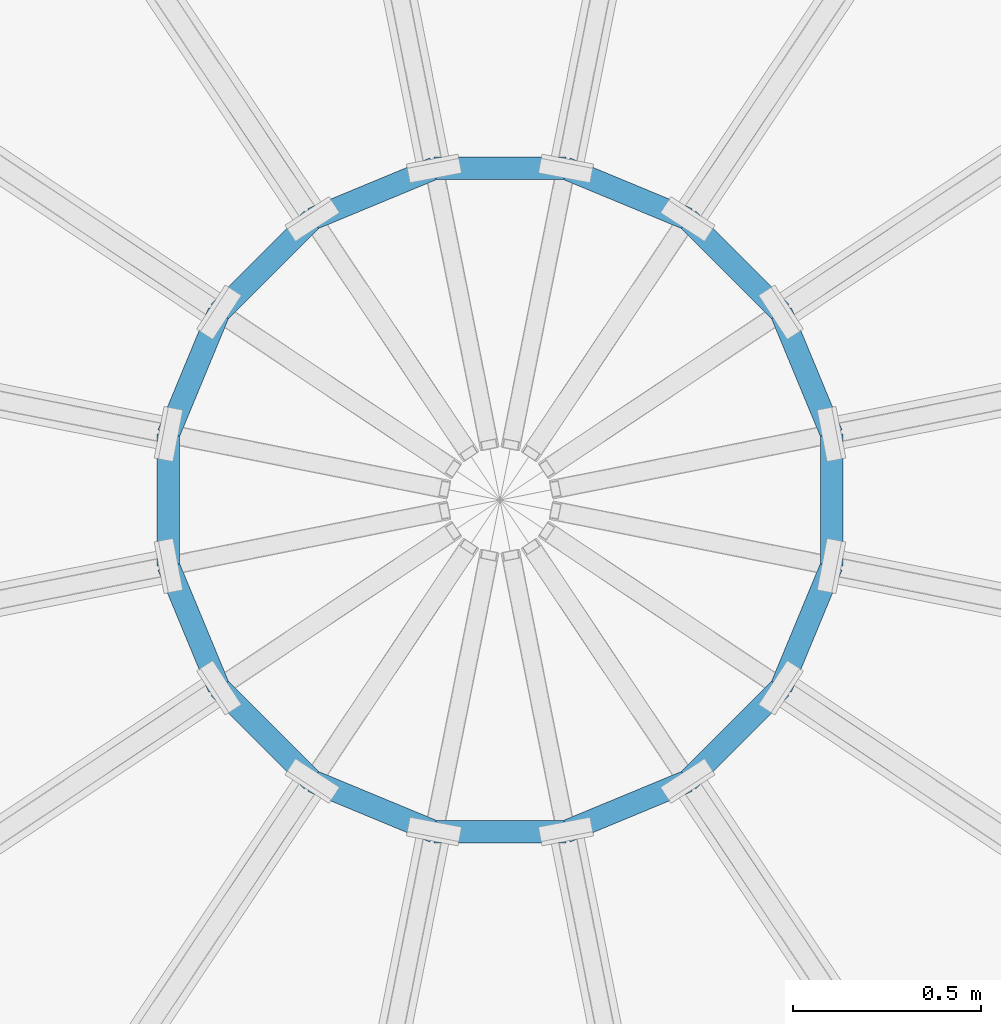
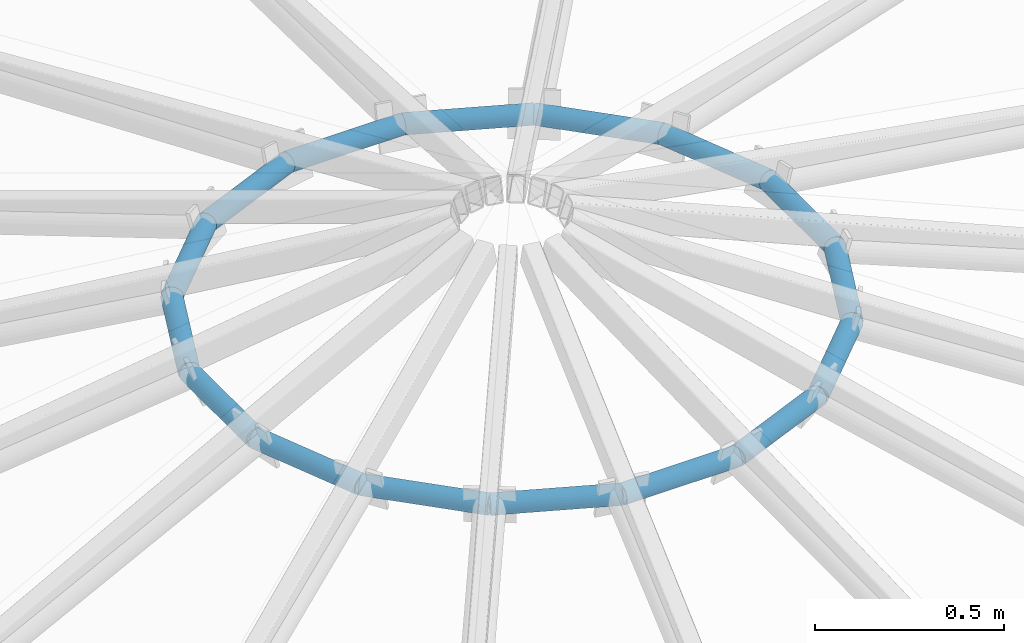
# One storey, part 14 of 26: 16 members.
"""IFC4 building model written with IfcOpenShell, lengths in metres."""

from ifc_helpers import new_model, si_unit, direction, frame, origin, origin_2d, place, context, subcontext, project, spatial, hollow_circle, extrude, material, material_profile, profile_set, type_object, element, save


model = new_model("IFC4")

# Units and contexts
model_context = context("Model", 3, precision=1e-05, world=origin(), true_north=direction((0.0, 1.0)))
body_context = subcontext(model_context, "Body", "Model", "MODEL_VIEW")
ifc_project = project(units=[si_unit("LENGTHUNIT", "METRE"), si_unit("AREAUNIT", "SQUARE_METRE"), si_unit("VOLUMEUNIT", "CUBIC_METRE"), si_unit("PLANEANGLEUNIT", "RADIAN"), si_unit("MASSUNIT", "GRAM", prefix="KILO")], contexts=[model_context])

# Site, building, storey
site_placement = place(None, origin())
site = spatial("IfcSite", under=ifc_project, at=site_placement, CompositionType="ELEMENT")
building_placement = place(site_placement, origin())
building = spatial("IfcBuilding", under=site, at=building_placement, Name="Sun Court Science Centre", CompositionType="ELEMENT")
storey_placement = place(building_placement, frame((0.0, 0.0, 29.25)))
storey = spatial("IfcBuildingStorey", under=building, at=storey_placement, Name="L06", CompositionType="ELEMENT", Elevation=29.25)

# Members
ifc_material = material(Name="Steel S355", Category="steel")
ifc_material_profile = material_profile(ifc_material, hollow_circle(Radius=0.030029296875, WallThickness=0.0048828125, at=origin_2d()), Name="CHS 60.3x5")
ifc_profile_set = profile_set([ifc_material_profile], Name="Steel S355")
member_type = type_object("IfcMemberType", Name="Lantern vent ring CHS 60.3x5", PredefinedType="CHORD", material=ifc_profile_set)
member_1_placement = place(storey_placement, frame((6.8828125, 11.675537109375, 1.468505859375), z_axis=(-0.382986090474, 0.923754109329, 0.0), x_axis=(-0.923754109329, -0.382986090474, 0.0)))
element("IfcMember", 1, at=member_1_placement, inside=storey, type_object=member_type, Name="Cone 1 lantern vent ring 1", PredefinedType="CHORD", context=body_context, shape_type="SweptSolid", body=[
    extrude(hollow_circle(Radius=0.030029296875, WallThickness=0.0048828125, at=origin_2d()), origin(), (0.0, 0.0, 1.0), 0.351318359375),
])
member_2_placement = place(storey_placement, frame((6.748291015625, 12.0, 1.468505859375), z_axis=(-0.707106781187, 0.707106781187, 0.0), x_axis=(-0.707106781187, -0.707106781187, 0.0)))
element("IfcMember", 2, at=member_2_placement, inside=storey, type_object=member_type, Name="Cone 1 lantern vent ring 2", PredefinedType="CHORD", context=body_context, shape_type="SweptSolid", body=[
    extrude(hollow_circle(Radius=0.030029296875, WallThickness=0.0048828125, at=origin_2d()), origin(), (0.0, 0.0, 1.0), 0.35107421875),
])
member_3_placement = place(storey_placement, frame((6.5, 12.248291015625, 1.468505859375), z_axis=(-0.923754109329, 0.382986090474, 0.0), x_axis=(-0.382986090474, -0.923754109329, 0.0)))
element("IfcMember", 3, at=member_3_placement, inside=storey, type_object=member_type, Name="Cone 1 lantern vent ring 3", PredefinedType="CHORD", context=body_context, shape_type="SweptSolid", body=[
    extrude(hollow_circle(Radius=0.030029296875, WallThickness=0.0048828125, at=origin_2d()), origin(), (0.0, 0.0, 1.0), 0.351318359375),
])
member_4_placement = place(storey_placement, frame((6.175537109375, 12.3828125, 1.468505859375), z_axis=(-1.0, 0.0, 0.0), x_axis=(0.0, -1.0, 0.0)))
element("IfcMember", 4, at=member_4_placement, inside=storey, type_object=member_type, Name="Cone 1 lantern vent ring 4", PredefinedType="CHORD", context=body_context, shape_type="SweptSolid", body=[
    extrude(hollow_circle(Radius=0.030029296875, WallThickness=0.0048828125, at=origin_2d()), origin(), (0.0, 0.0, 1.0), 0.35107421875),
])
member_5_placement = place(storey_placement, frame((5.824462890625, 12.3828125, 1.468505859375), z_axis=(-0.923754109329, -0.382986090474, 0.0), x_axis=(0.382986090474, -0.923754109329, 0.0)))
element("IfcMember", 5, at=member_5_placement, inside=storey, type_object=member_type, Name="Cone 1 lantern vent ring 5", PredefinedType="CHORD", context=body_context, shape_type="SweptSolid", body=[
    extrude(hollow_circle(Radius=0.030029296875, WallThickness=0.0048828125, at=origin_2d()), origin(), (0.0, 0.0, 1.0), 0.351318359375),
])
member_6_placement = place(storey_placement, frame((5.5, 12.248291015625, 1.468505859375), z_axis=(-0.707106781187, -0.707106781187, 0.0), x_axis=(0.707106781187, -0.707106781187, 0.0)))
element("IfcMember", 6, at=member_6_placement, inside=storey, type_object=member_type, Name="Cone 1 lantern vent ring 6", PredefinedType="CHORD", context=body_context, shape_type="SweptSolid", body=[
    extrude(hollow_circle(Radius=0.030029296875, WallThickness=0.0048828125, at=origin_2d()), origin(), (0.0, 0.0, 1.0), 0.35107421875),
])
member_7_placement = place(storey_placement, frame((5.251708984375, 12.0, 1.468505859375), z_axis=(-0.382986090474, -0.923754109329, 0.0), x_axis=(0.923754109329, -0.382986090474, 0.0)))
element("IfcMember", 7, at=member_7_placement, inside=storey, type_object=member_type, Name="Cone 1 lantern vent ring 7", PredefinedType="CHORD", context=body_context, shape_type="SweptSolid", body=[
    extrude(hollow_circle(Radius=0.030029296875, WallThickness=0.0048828125, at=origin_2d()), origin(), (0.0, 0.0, 1.0), 0.351318359375),
])
member_8_placement = place(storey_placement, frame((5.1171875, 11.675537109375, 1.468505859375), z_axis=(0.0, -1.0, 0.0), x_axis=(1.0, 0.0, 0.0)))
element("IfcMember", 8, at=member_8_placement, inside=storey, type_object=member_type, Name="Cone 1 lantern vent ring 8", PredefinedType="CHORD", context=body_context, shape_type="SweptSolid", body=[
    extrude(hollow_circle(Radius=0.030029296875, WallThickness=0.0048828125, at=origin_2d()), origin(), (0.0, 0.0, 1.0), 0.35107421875),
])
member_9_placement = place(storey_placement, frame((5.1171875, 11.324462890625, 1.468505859375), z_axis=(0.382986090474, -0.923754109329, 0.0), x_axis=(0.923754109329, 0.382986090474, 0.0)))
element("IfcMember", 9, at=member_9_placement, inside=storey, type_object=member_type, Name="Cone 1 lantern vent ring 9", PredefinedType="CHORD", context=body_context, shape_type="SweptSolid", body=[
    extrude(hollow_circle(Radius=0.030029296875, WallThickness=0.0048828125, at=origin_2d()), origin(), (0.0, 0.0, 1.0), 0.351318359375),
])
member_10_placement = place(storey_placement, frame((5.251708984375, 11.0, 1.468505859375), z_axis=(0.707106781187, -0.707106781187, 0.0), x_axis=(0.707106781187, 0.707106781187, 0.0)))
element("IfcMember", 10, at=member_10_placement, inside=storey, type_object=member_type, Name="Cone 1 lantern vent ring 10", PredefinedType="CHORD", context=body_context, shape_type="SweptSolid", body=[
    extrude(hollow_circle(Radius=0.030029296875, WallThickness=0.0048828125, at=origin_2d()), origin(), (0.0, 0.0, 1.0), 0.35107421875),
])
member_11_placement = place(storey_placement, frame((5.5, 10.751708984375, 1.468505859375), z_axis=(0.923754109329, -0.382986090474, 0.0), x_axis=(0.382986090474, 0.923754109329, 0.0)))
element("IfcMember", 11, at=member_11_placement, inside=storey, type_object=member_type, Name="Cone 1 lantern vent ring 11", PredefinedType="CHORD", context=body_context, shape_type="SweptSolid", body=[
    extrude(hollow_circle(Radius=0.030029296875, WallThickness=0.0048828125, at=origin_2d()), origin(), (0.0, 0.0, 1.0), 0.351318359375),
])
member_12_placement = place(storey_placement, frame((5.824462890625, 10.6171875, 1.468505859375), z_axis=(1.0, 0.0, 0.0), x_axis=(0.0, 1.0, 0.0)))
element("IfcMember", 12, at=member_12_placement, inside=storey, type_object=member_type, Name="Cone 1 lantern vent ring 12", PredefinedType="CHORD", context=body_context, shape_type="SweptSolid", body=[
    extrude(hollow_circle(Radius=0.030029296875, WallThickness=0.0048828125, at=origin_2d()), origin(), (0.0, 0.0, 1.0), 0.35107421875),
])
member_13_placement = place(storey_placement, frame((6.175537109375, 10.6171875, 1.468505859375), z_axis=(0.923754109329, 0.382986090474, 0.0), x_axis=(-0.382986090474, 0.923754109329, 0.0)))
element("IfcMember", 13, at=member_13_placement, inside=storey, type_object=member_type, Name="Cone 1 lantern vent ring 13", PredefinedType="CHORD", context=body_context, shape_type="SweptSolid", body=[
    extrude(hollow_circle(Radius=0.030029296875, WallThickness=0.0048828125, at=origin_2d()), origin(), (0.0, 0.0, 1.0), 0.351318359375),
])
member_14_placement = place(storey_placement, frame((6.5, 10.751708984375, 1.468505859375), z_axis=(0.707106781187, 0.707106781187, 0.0), x_axis=(-0.707106781187, 0.707106781187, 0.0)))
element("IfcMember", 14, at=member_14_placement, inside=storey, type_object=member_type, Name="Cone 1 lantern vent ring 14", PredefinedType="CHORD", context=body_context, shape_type="SweptSolid", body=[
    extrude(hollow_circle(Radius=0.030029296875, WallThickness=0.0048828125, at=origin_2d()), origin(), (0.0, 0.0, 1.0), 0.35107421875),
])
member_15_placement = place(storey_placement, frame((6.748291015625, 11.0, 1.468505859375), z_axis=(0.382986090474, 0.923754109329, 0.0), x_axis=(-0.923754109329, 0.382986090474, 0.0)))
element("IfcMember", 15, at=member_15_placement, inside=storey, type_object=member_type, Name="Cone 1 lantern vent ring 15", PredefinedType="CHORD", context=body_context, shape_type="SweptSolid", body=[
    extrude(hollow_circle(Radius=0.030029296875, WallThickness=0.0048828125, at=origin_2d()), origin(), (0.0, 0.0, 1.0), 0.351318359375),
])
member_16_placement = place(storey_placement, frame((6.8828125, 11.324462890625, 1.468505859375), z_axis=(0.0, 1.0, 0.0), x_axis=(-1.0, 0.0, 0.0)))
element("IfcMember", 16, at=member_16_placement, inside=storey, type_object=member_type, Name="Cone 1 lantern vent ring 16", PredefinedType="CHORD", context=body_context, shape_type="SweptSolid", body=[
    extrude(hollow_circle(Radius=0.030029296875, WallThickness=0.0048828125, at=origin_2d()), origin(), (0.0, 0.0, 1.0), 0.35107421875),
])

save(model, "model.ifc")
